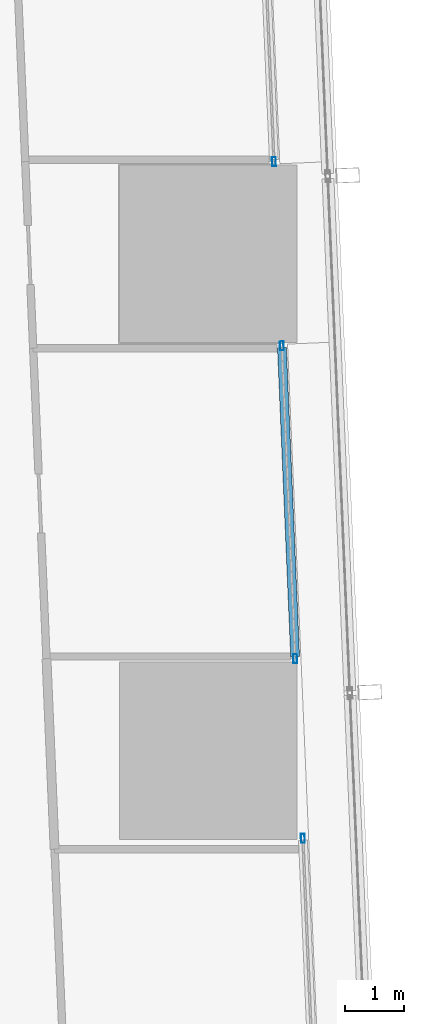
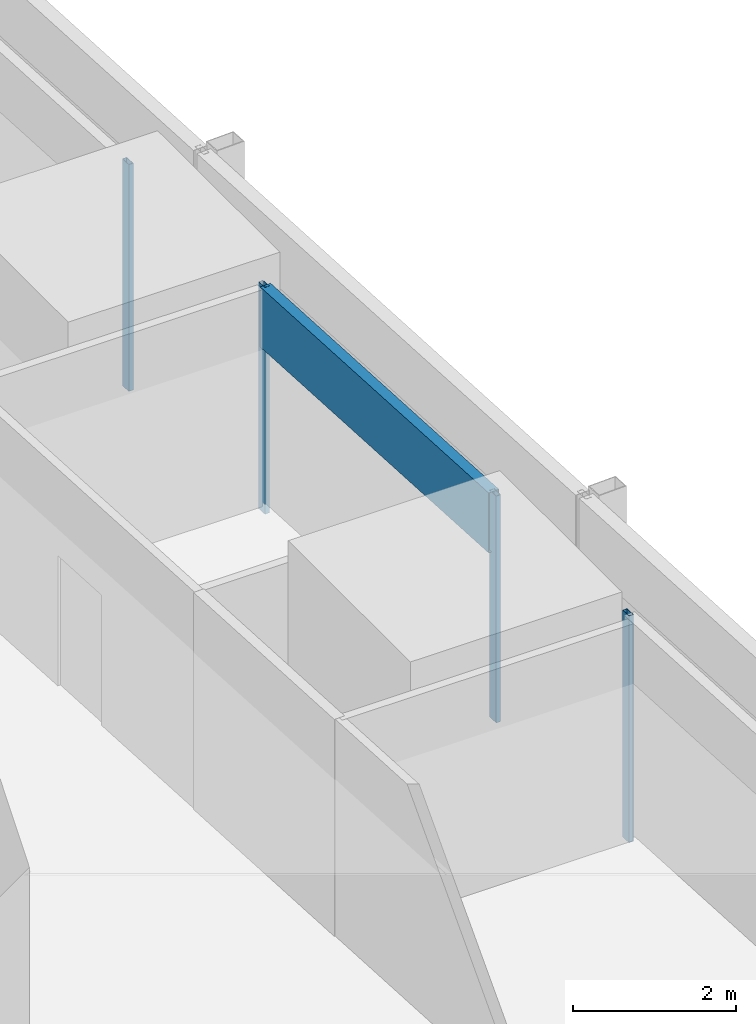
# One storey, part 20 of 44: 5 members, 3 elements without a shape of their own.
"""IFC4 building model written with IfcOpenShell, lengths in metres."""

import ifcopenshell
import ifcopenshell.guid

model = None  # the IFC model being written
_history = None  # IfcOwnerHistory: only IFC2X3 demands one
_inside = {}  # id of a spatial element -> (the spatial element, [elements in it])
_under = {}  # id of a project, library or spatial element -> (it, [spatial elements below it])
_declared = {}  # id of a project -> (the project, [libraries it declares])
_typed = {}  # id of a type object -> (the type object, [elements of that type])
_made_of = {}  # id of a material, layer set ... -> (it, [elements and type objects made of it])


def new_model(schema):
    """Start an empty IFC model of exactly this schema.

    Asked for "IFC4X3", IfcOpenShell would pick the latest addendum, in which some entities
    have other attributes; the version numbers below select the first issue.
    IFC2X3 requires an IfcOwnerHistory on every rooted entity: one is made here for all.
    """
    global model, _history
    if schema == "IFC4X3":
        model = ifcopenshell.file(schema_version=(4, 3, 0, 0))
    else:
        model = ifcopenshell.file(schema=schema)
    _inside.clear()
    _under.clear()
    _declared.clear()
    _typed.clear()
    _made_of.clear()
    _history = None
    if model.schema == "IFC2X3":
        org = make("IfcOrganization", Name="unknown")
        user = make(
            "IfcPersonAndOrganization",
            ThePerson=make("IfcPerson", FamilyName="unknown"),
            TheOrganization=org,
        )
        app = make(
            "IfcApplication",
            ApplicationDeveloper=org,
            Version="unknown",
            ApplicationFullName="unknown",
            ApplicationIdentifier="unknown",
        )
        _history = make(
            "IfcOwnerHistory",
            OwningUser=user,
            OwningApplication=app,
            ChangeAction="ADDED",
            CreationDate=0,
        )
    return model


def make(cls, **values):
    """One entity of the class cls with the attributes given. An attribute that is None is left unset."""
    return model.create_entity(
        cls, **{name: value for name, value in values.items() if value is not None}
    )


def rooted(cls, **values):
    """An entity with a GlobalId (a new one), such as an element, a storey or a relation."""
    return make(cls, GlobalId=ifcopenshell.guid.new(), OwnerHistory=_history, **values)


def si_unit(unit_type, name, prefix=None):
    """IfcSIUnit, for example si_unit("LENGTHUNIT", "METRE", prefix="MILLI")."""
    return make("IfcSIUnit", UnitType=unit_type, Prefix=prefix, Name=name)


def assignment(units):
    """IfcUnitAssignment: the units of a project."""
    return None if units is None else make("IfcUnitAssignment", Units=units)


def point(xyz):
    """IfcCartesianPoint."""
    return None if xyz is None else make("IfcCartesianPoint", Coordinates=xyz)


def direction(xyz):
    """IfcDirection."""
    return None if xyz is None else make("IfcDirection", DirectionRatios=xyz)


def frame(location, z_axis=None, x_axis=None):
    """IfcAxis2Placement3D, a coordinate frame: its origin and axes. An axis left out is left unset."""
    return make(
        "IfcAxis2Placement3D",
        Location=point(location),
        Axis=direction(z_axis),
        RefDirection=direction(x_axis),
    )


def frame_2d(location, x_axis=None):
    """IfcAxis2Placement2D, a coordinate frame in the plane: its origin and x axis."""
    return make(
        "IfcAxis2Placement2D", Location=point(location), RefDirection=direction(x_axis)
    )


def origin():
    """The frame at (0, 0, 0) with its axes left unset."""
    return frame((0.0, 0.0, 0.0))


def origin_2d():
    """The frame at (0, 0) in the plane with its x axis left unset."""
    return frame_2d((0.0, 0.0))


def place(relative_to, where):
    """IfcLocalPlacement: puts the frame where relative to a parent placement (None: the world)."""
    return make(
        "IfcLocalPlacement", PlacementRelTo=relative_to, RelativePlacement=where
    )


def context(
    kind, dimensions, precision=None, world=None, true_north=None, identifier=None
):
    """IfcGeometricRepresentationContext, for example the 3D "Model" context."""
    return make(
        "IfcGeometricRepresentationContext",
        ContextIdentifier=identifier,
        ContextType=kind,
        CoordinateSpaceDimension=dimensions,
        Precision=precision,
        WorldCoordinateSystem=world,
        TrueNorth=true_north,
    )


def subcontext(parent, identifier, kind, view, scale=None):
    """IfcGeometricRepresentationSubContext, for example "Body" below "Model"."""
    return make(
        "IfcGeometricRepresentationSubContext",
        ContextIdentifier=identifier,
        ContextType=kind,
        ParentContext=parent,
        TargetScale=scale,
        TargetView=view,
    )


def project(units=None, contexts=None):
    """IfcProject with its units and contexts."""
    return rooted(
        "IfcProject",
        Name="project",
        RepresentationContexts=contexts,
        UnitsInContext=assignment(units),
    )


def spatial(cls, under=None, at=None, **own):
    """A site, building, storey or space (cls), placed at a placement, below another one or the project."""
    s = rooted(cls, ObjectPlacement=at, **own)
    if under is not None:
        _under.setdefault(under.id(), (under, []))[1].append(s)
    return s


def profile(cls, at=None, kind="AREA", **sizes):
    """A parametric profile (cls). Its sizes go by their IFC names, for example OverallWidth=200.0."""
    return make(cls, ProfileType=kind, Position=at, **sizes)


def hollow_rectangle(**sizes):
    """IfcRectangleHollowProfileDef."""
    return profile("IfcRectangleHollowProfileDef", **sizes)


def extrude(swept, where, along, depth):
    """IfcExtrudedAreaSolid: the profile swept, set in the frame where, extruded along a direction by depth."""
    return make(
        "IfcExtrudedAreaSolid",
        SweptArea=swept,
        Position=where,
        ExtrudedDirection=direction(along),
        Depth=depth,
    )


def shape(context_of_items, identifier, shape_type, items):
    """IfcShapeRepresentation: the items that make up one representation, for example the "Body"."""
    return make(
        "IfcShapeRepresentation",
        ContextOfItems=context_of_items,
        RepresentationIdentifier=identifier,
        RepresentationType=shape_type,
        Items=items,
    )


def material(Name=None, Category=None):
    """IfcMaterial."""
    return make("IfcMaterial", Name=Name, Category=Category)


def material_profile(
    of_material, cross_section, Name=None, Category=None, Priority=None
):
    """IfcMaterialProfile: a cross section and its material."""
    return make(
        "IfcMaterialProfile",
        Name=Name,
        Material=of_material,
        Profile=cross_section,
        Priority=Priority,
        Category=Category,
    )


def profile_set(profiles, Name=None, composite=None):
    """IfcMaterialProfileSet."""
    return make(
        "IfcMaterialProfileSet",
        Name=Name,
        MaterialProfiles=profiles,
        CompositeProfile=composite,
    )


def made_of(thing, what):
    """Note that an element or type object is made of a material, layer set ...; save() writes the relation."""
    if what is not None:
        _made_of.setdefault(what.id(), (what, []))[1].append(thing)
    return thing


def type_object(cls, material=None, **own):
    """A type object (cls), such as IfcWallType, which elements share."""
    return made_of(rooted(cls, **own), material)


def element(
    cls,
    number,
    at=None,
    inside=None,
    cuts=None,
    type_object=None,
    material=None,
    context=None,
    identifier="Body",
    shape_type=None,
    held_by="IfcProductDefinitionShape",
    body=None,
    shapes=None,
    **own,
):
    """One element of the class cls, such as IfcWall. Its Tag is "e" and its number.

    at: its placement. inside: the storey or other place that contains it. cuts: it is an
    opening in that element (IfcRelVoidsElement). A single representation is given by context,
    identifier, shape_type and body (its items); several are given by shapes. held_by: the class
    of the entity that holds the representations. save() writes the other relations.
    """
    e = rooted(cls, Tag="e%d" % number, ObjectPlacement=at, **own)
    if body is not None:
        shapes = [shape(context, identifier, shape_type, body)]
    if shapes is not None:
        e.Representation = make(held_by, Representations=shapes)
    if inside is not None:
        _inside.setdefault(inside.id(), (inside, []))[1].append(e)
    if cuts is not None:
        rooted(
            "IfcRelVoidsElement", RelatingBuildingElement=cuts, RelatedOpeningElement=e
        )
    if type_object is not None:
        _typed.setdefault(type_object.id(), (type_object, []))[1].append(e)
    return made_of(e, material)


def aggregate(whole, parts):
    """IfcRelAggregates: a whole, such as a stair, and the parts it consists of."""
    return rooted("IfcRelAggregates", RelatingObject=whole, RelatedObjects=parts)


def save(model, path):
    """Write the relations noted so far, then the file.

    IfcRelAggregates (storeys below a building ...), IfcRelContainedInSpatialStructure (elements
    in a storey), IfcRelDefinesByType, IfcRelAssociatesMaterial and IfcRelDeclares: one each for
    every whole, place, type object, material and project.
    """
    for whole, parts in _under.values():
        aggregate(whole, parts)
    for where, things in _inside.values():
        rooted(
            "IfcRelContainedInSpatialStructure",
            RelatedElements=things,
            RelatingStructure=where,
        )
    for kind, things in _typed.values():
        rooted("IfcRelDefinesByType", RelatedObjects=things, RelatingType=kind)
    for what, things in _made_of.values():
        rooted("IfcRelAssociatesMaterial", RelatedObjects=things, RelatingMaterial=what)
    for by, libraries in _declared.values():
        rooted("IfcRelDeclares", RelatingContext=by, RelatedDefinitions=libraries)
    model.write(path)


model = new_model("IFC4")

# Units and contexts
model_context = context("Model", 3, precision=1e-05, world=origin(), true_north=direction((0.0, 1.0)))
body_context = subcontext(model_context, "Body", "Model", "MODEL_VIEW")
ifc_project = project(units=[si_unit("LENGTHUNIT", "METRE"), si_unit("AREAUNIT", "SQUARE_METRE"), si_unit("VOLUMEUNIT", "CUBIC_METRE"), si_unit("PLANEANGLEUNIT", "RADIAN"), si_unit("MASSUNIT", "GRAM", prefix="KILO")], contexts=[model_context])

# Site, building, storey
site_placement = place(None, origin())
site = spatial("IfcSite", under=ifc_project, at=site_placement, CompositionType="ELEMENT")
building_placement = place(site_placement, origin())
building = spatial("IfcBuilding", under=site, at=building_placement, Name="Rekha Terrace Tower", CompositionType="ELEMENT")
storey_placement = place(building_placement, frame((0.0, 0.0, 81.64990234375)))
storey = spatial("IfcBuildingStorey", under=building, at=storey_placement, Name="L20", CompositionType="ELEMENT", Elevation=81.64990234375)

# Curtain wall, member
ifc_material_1 = material(Name="Aluminium framing", Category="aluminium")
curtain_wall_type = type_object("IfcCurtainWallType", Name="CW1 double skin inner glazing", PredefinedType="USERDEFINED", material=ifc_material_1)
curtain_wall_1_placement = place(storey_placement, origin())
curtain_wall_1 = element("IfcCurtainWall", 1, at=curtain_wall_1_placement, inside=storey, type_object=curtain_wall_type, Name="CW1 double skin inner glazing", ObjectType="DOUBLE SKIN INNER GLAZING", PredefinedType="USERDEFINED")
ifc_material_2 = material(Name="Aluminium mullion section", Category="aluminium")
ifc_material_profile_1 = material_profile(ifc_material_2, hollow_rectangle(XDim=0.06494140625, YDim=0.14990234375, WallThickness=0.00390625, at=origin_2d()), Name="AL RHS 65x150")
ifc_profile_set_1 = profile_set([ifc_material_profile_1], Name="Aluminium mullion section")
member_type_1 = type_object("IfcMemberType", Name="CW1 mullion RHS 65 x 150", PredefinedType="MULLION", material=ifc_profile_set_1)
member_1_placement = place(storey_placement, frame((68.797119140625, 40.52001953125, 0.0), z_axis=(0.0, 0.0, 1.0), x_axis=(-0.999088106904, -0.042696072921, 0.0)))
member_1 = element("IfcMember", 2, at=member_1_placement, type_object=member_type_1, Name="CW1 mullion 3", PredefinedType="MULLION", context=body_context, shape_type="SweptSolid", body=[
    extrude(hollow_rectangle(XDim=0.06494140625, YDim=0.14990234375, WallThickness=0.00390625, at=origin_2d()), origin(), (0.0, 0.0, 1.0), 3.400146484375),
])
aggregate(curtain_wall_1, [member_1])

# Curtain wall, members
curtain_wall_2_placement = place(storey_placement, origin())
curtain_wall_2 = element("IfcCurtainWall", 3, at=curtain_wall_2_placement, inside=storey, type_object=curtain_wall_type, Name="CW1 double skin inner glazing", ObjectType="DOUBLE SKIN INNER GLAZING", PredefinedType="USERDEFINED")
member_2_placement = place(storey_placement, frame((68.66748046875, 43.556396484375, 0.0), z_axis=(0.0, 0.0, 1.0), x_axis=(-0.999088106898, -0.042696073061, 0.0)))
member_2 = element("IfcMember", 4, at=member_2_placement, type_object=member_type_1, Name="CW1 mullion 1", PredefinedType="MULLION", context=body_context, shape_type="SweptSolid", body=[
    extrude(hollow_rectangle(XDim=0.06494140625, YDim=0.14990234375, WallThickness=0.00390625, at=origin_2d()), origin(), (0.0, 0.0, 1.0), 3.400146484375),
])
member_3_placement = place(storey_placement, frame((68.44140625, 48.843505859375, 0.0), z_axis=(0.0, 0.0, 1.0), x_axis=(-0.999088106898, -0.042696073061, 0.0)))
member_3 = element("IfcMember", 5, at=member_3_placement, type_object=member_type_1, Name="CW1 mullion 2", PredefinedType="MULLION", context=body_context, shape_type="SweptSolid", body=[
    extrude(hollow_rectangle(XDim=0.06494140625, YDim=0.14990234375, WallThickness=0.00390625, at=origin_2d()), origin(), (0.0, 0.0, 1.0), 3.400146484375),
])

# Curtain wall, member
curtain_wall_3_placement = place(storey_placement, origin())
curtain_wall_3 = element("IfcCurtainWall", 6, at=curtain_wall_3_placement, inside=storey, type_object=curtain_wall_type, Name="CW1 double skin inner glazing", ObjectType="DOUBLE SKIN INNER GLAZING", PredefinedType="USERDEFINED")
member_4_placement = place(storey_placement, frame((68.308349609375, 51.95654296875, 0.0), z_axis=(0.0, 0.0, 1.0), x_axis=(-0.999088106898, -0.042696073061, 0.0)))
member_4 = element("IfcMember", 7, at=member_4_placement, type_object=member_type_1, Name="CW1 mullion 1", PredefinedType="MULLION", context=body_context, shape_type="SweptSolid", body=[
    extrude(hollow_rectangle(XDim=0.06494140625, YDim=0.14990234375, WallThickness=0.00390625, at=origin_2d()), origin(), (0.0, 0.0, 1.0), 3.400146484375),
])
aggregate(curtain_wall_3, [member_4])

# Member
ifc_material_3 = material(Name="Insulated aluminium spandrel box", Category="aluminium")
ifc_material_profile_2 = material_profile(ifc_material_3, hollow_rectangle(XDim=0.14990234375, YDim=0.89990234375, WallThickness=0.0029296875, at=origin_2d()), Name="AL SPANDREL BOX 150x900")
ifc_profile_set_2 = profile_set([ifc_material_profile_2], Name="Insulated aluminium spandrel box")
member_type_2 = type_object("IfcMemberType", Name="CW1 spandrel transom 150 x 900", PredefinedType="USERDEFINED", material=ifc_profile_set_2)
member_5_placement = place(storey_placement, frame((68.666015625, 43.5888671875, 2.9501953125), z_axis=(-0.042691291093, 0.999088311244, 0.0), x_axis=(-0.999088311244, -0.042691291093, 0.0)))
member_5 = element("IfcMember", 8, at=member_5_placement, type_object=member_type_2, Name="CW1 spandrel transom 1", ObjectType="TRANSOM", PredefinedType="USERDEFINED", context=body_context, shape_type="SweptSolid", body=[
    extrude(hollow_rectangle(XDim=0.14990234375, YDim=0.89990234375, WallThickness=0.0029296875, at=origin_2d()), origin(), (0.0, 0.0, 1.0), 5.22705078125),
])

aggregate(curtain_wall_2, [member_2, member_3, member_5])

save(model, "model.ifc")
